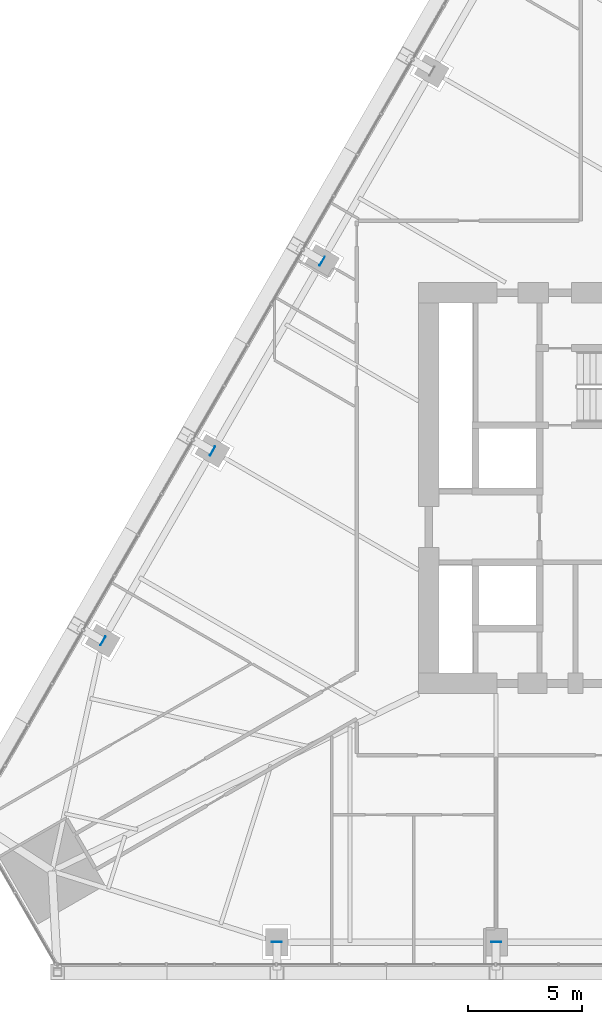
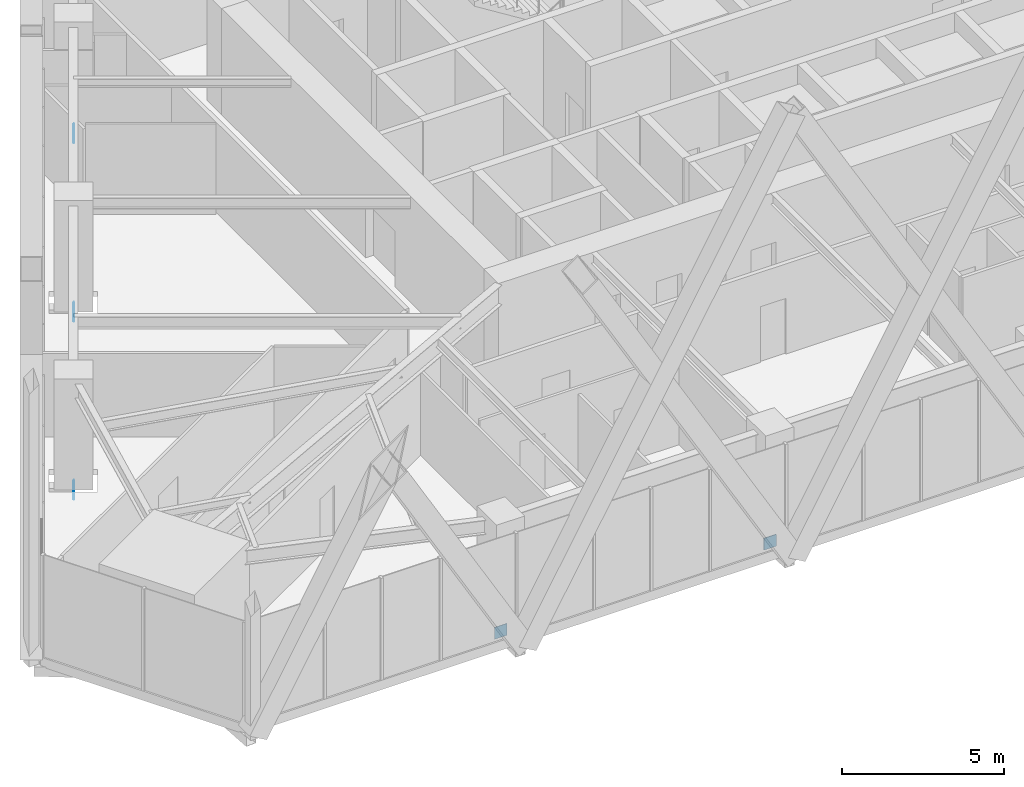
# One storey, part 22 of 26: 5 discrete accessories.
"""IFC4 building model written with IfcOpenShell, lengths in metres."""

from ifc_helpers import new_model, si_unit, direction, frame, origin, origin_2d, place, context, subcontext, project, spatial, rectangle, extrude, material, layer, layer_set, type_object, element, save


model = new_model("IFC4")

# Units and contexts
model_context = context("Model", 3, precision=1e-05, world=origin(), true_north=direction((0.0, 1.0)))
body_context = subcontext(model_context, "Body", "Model", "MODEL_VIEW")
ifc_project = project(units=[si_unit("LENGTHUNIT", "METRE"), si_unit("AREAUNIT", "SQUARE_METRE"), si_unit("VOLUMEUNIT", "CUBIC_METRE"), si_unit("PLANEANGLEUNIT", "RADIAN"), si_unit("MASSUNIT", "GRAM", prefix="KILO")], contexts=[model_context])

# Site, building, storey
site_placement = place(None, origin())
site = spatial("IfcSite", under=ifc_project, at=site_placement, CompositionType="ELEMENT")
building_placement = place(site_placement, origin())
building = spatial("IfcBuilding", under=site, at=building_placement, Name="Firuza Gate Tower and Library", CompositionType="ELEMENT")
storey_placement = place(building_placement, frame((0.0, 0.0, 40.0)))
storey = spatial("IfcBuildingStorey", under=building, at=storey_placement, Name="L08", CompositionType="ELEMENT", Elevation=40.0)

# Discrete accessories
ifc_material = material(Name="Steel S355", Category="steel")
ifc_layer = layer(ifc_material, 0.02001953125)
ifc_layer_set = layer_set([ifc_layer], Name="Tie end plate 450x450x20 Steel S355")
discrete_accessory_type = type_object("IfcDiscreteAccessoryType", Name="Tie end plate 450x450x20 Steel S355", PredefinedType="BRACKET", material=ifc_layer_set)
for number, where, z_axis, x_axis, name in (
    (1, (55.800048828125, 55.12548828125, -0.56298828125), (0.0, 0.0, 1.0), (0.0, 1.0, 0.0), "Tie end plate"),
    (2, (65.39990234375, 55.12548828125, -0.56298828125), (0.0, 0.0, 1.0), (0.0, 1.0, 0.0), "Tie end plate"),
    (3, (48.18798828125, 68.3095703125, -0.56298828125), (0.0, 0.0, 1.0), (0.866025429964, -0.499999954655, 0.0), "Tie end plate"),
    (4, (52.988037109375, 76.62353515625, -0.56298828125), (0.0, 0.0, 1.0), (0.866025429964, -0.499999954655, 0.0), "Tie end plate"),
    (5, (57.7880859375, 84.937255859375, -0.56298828125), (0.0, 0.0, 1.0), (0.866025429964, -0.499999954655, 0.0), "Tie end plate"),
):
    element("IfcDiscreteAccessory", number, at=place(storey_placement, frame(where, z_axis=z_axis, x_axis=x_axis)), inside=storey, type_object=discrete_accessory_type, Name=name, PredefinedType="BRACKET", context=body_context, shape_type="SweptSolid", body=[
        extrude(rectangle(XDim=0.02001953125, YDim=0.446044921875, at=origin_2d()), origin(), (0.0, 0.0, 1.0), 0.446044921875),
    ])

save(model, "model.ifc")
